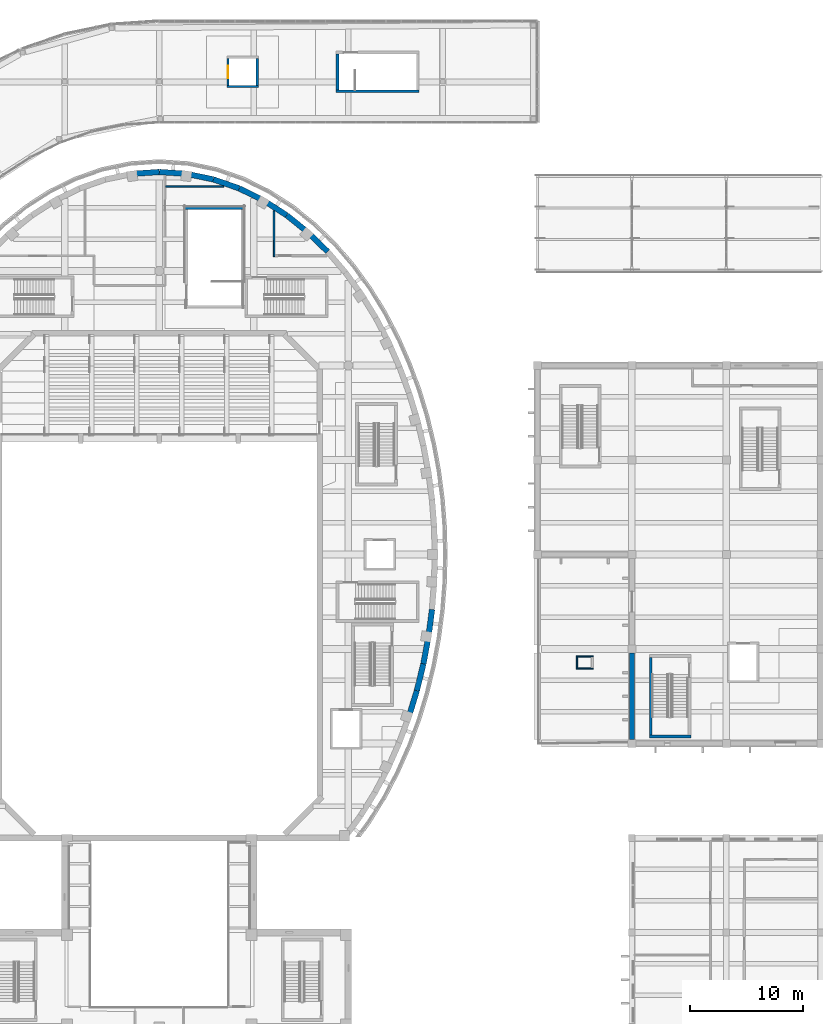
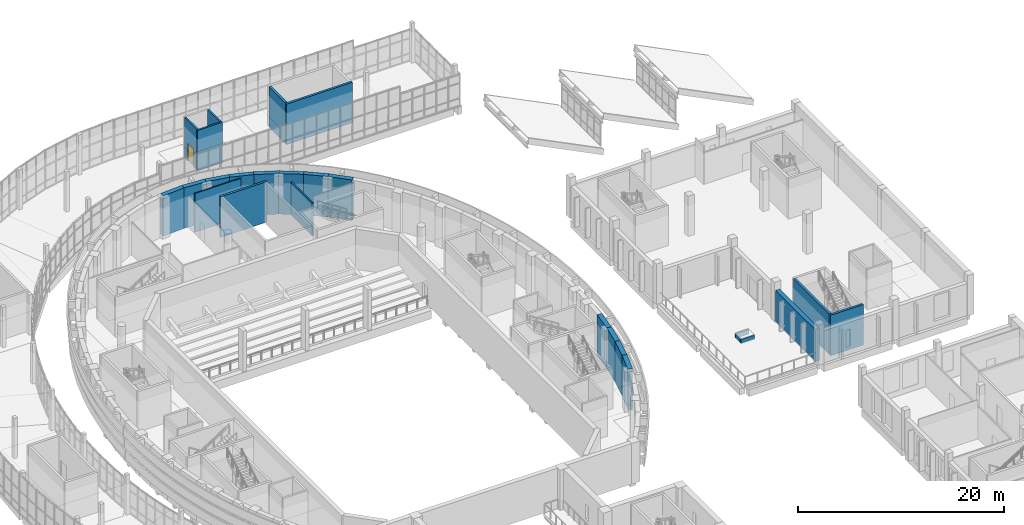
# One storey, part 61 of 103: 26 walls, 1 door, 1 opening.
"""IFC4 building model written with IfcOpenShell, lengths in metres."""

from ifc_helpers import new_model, si_unit, direction, frame, frame_2d, origin, place, context, subcontext, project, spatial, rectangle, extrude, material, layer, layer_set, type_object, element, fill, save


model = new_model("IFC4")

# Units and contexts
model_context = context("Model", 3, precision=1e-05, world=origin(), true_north=direction((0.0, 1.0)))
body_context = subcontext(model_context, "Body", "Model", "MODEL_VIEW")
ifc_project = project(units=[si_unit("LENGTHUNIT", "METRE"), si_unit("AREAUNIT", "SQUARE_METRE"), si_unit("VOLUMEUNIT", "CUBIC_METRE"), si_unit("PLANEANGLEUNIT", "RADIAN"), si_unit("MASSUNIT", "GRAM", prefix="KILO")], contexts=[model_context])

# Site, building, storey
site_placement = place(None, origin())
site = spatial("IfcSite", under=ifc_project, at=site_placement, CompositionType="ELEMENT")
building_placement = place(site_placement, origin())
building = spatial("IfcBuilding", under=site, at=building_placement, Name="Larchfold Concert Hall", CompositionType="ELEMENT")
storey_placement = place(building_placement, frame((0.0, 0.0, 9.60009765625)))
storey = spatial("IfcBuildingStorey", under=building, at=storey_placement, Name="L02", CompositionType="ELEMENT", Elevation=9.60009765625)

# Walls
ifc_material_1 = material(Name="Charred larch cladding on mineral wool and CLT", Category="wood")
ifc_layer_1 = layer(ifc_material_1, 0.449951171875)
ifc_layer_set_1 = layer_set([ifc_layer_1], Name="Charred larch cladding on mineral wool and CLT")
wall_type_1 = type_object("IfcWallType", Name="Charred larch infill wall 450", PredefinedType="SOLIDWALL", material=ifc_layer_set_1)
wall_1_placement = place(storey_placement, frame((84.60009765625, 75.849853515625, 0.0), z_axis=(0.0, 0.0, 1.0), x_axis=(0.0, -1.0, 0.0)))
element("IfcWall", 1, at=wall_1_placement, inside=storey, type_object=wall_type_1, Name="Infill wall W5093", PredefinedType="SOLIDWALL", context=body_context, shape_type="SweptSolid", body=[
    extrude(rectangle(XDim=7.69970703125, YDim=0.449951171875, at=frame_2d((3.849853515625, 0.0))), origin(), (0.0, 0.0, 1.0), 3.800048828125),
])
ifc_material_2 = material(Name="Plasterboard partition on steel studs", Category="steel")
ifc_layer_2 = layer(ifc_material_2, 0.125)
ifc_layer_set_2 = layer_set([ifc_layer_2], Name="Plasterboard partition on steel studs")
wall_type_2 = type_object("IfcWallType", Name="Corridor partition 125 EI 60", PredefinedType="PARTITIONING", material=ifc_layer_set_2)
wall_2_placement = place(storey_placement, frame((43.16357421875, 117.299072265625, 0.0), z_axis=(0.0, 0.0, 1.0), x_axis=(0.999999982121, -0.00018909847, 0.0)))
element("IfcWall", 2, at=wall_2_placement, inside=storey, type_object=wall_type_2, Name="Partition IW0002", PredefinedType="PARTITIONING", context=body_context, shape_type="SweptSolid", body=[
    extrude(rectangle(XDim=5.164306640625, YDim=0.125, at=frame_2d((2.58203125, 0.0))), origin(), (0.0, 0.0, 1.0), 4.599853515625),
])
ifc_material_3 = material(Name="Insulated steel upstand S355", Category="steel")
ifc_layer_3 = layer(ifc_material_3, 0.14990234375)
ifc_layer_set_3 = layer_set([ifc_layer_3], Name="Insulated steel upstand S355")
wall_type_3 = type_object("IfcWallType", Name="Roof hatch curb 150", PredefinedType="PARAPET", material=ifc_layer_set_3)
for number, where, z_axis, x_axis, name in (
    (3, (79.64990234375, 74.47509765625, 0.0), (0.0, 0.0, 1.0), (1.0, 0.0, 0.0), "Roof upstand curb HC21"),
    (4, (79.64990234375, 75.52490234375, 0.0), (0.0, 0.0, 1.0), (1.0, 0.0, 0.0), "Roof upstand curb HC22"),
):
    element("IfcWall", number, at=place(storey_placement, frame(where, z_axis=z_axis, x_axis=x_axis)), inside=storey, type_object=wall_type_3, Name=name, PredefinedType="PARAPET", context=body_context, shape_type="SweptSolid", body=[
        extrude(rectangle(XDim=1.5, YDim=0.14990234375, at=frame_2d((0.75, 0.0))), origin(), (0.0, 0.0, 1.0), 0.5),
    ])
wall_3_placement = place(storey_placement, frame((79.724853515625, 74.550048828125, 0.0), z_axis=(0.0, 0.0, 1.0), x_axis=(0.0, 1.0, 0.0)))
element("IfcWall", 5, at=wall_3_placement, inside=storey, type_object=wall_type_3, Name="Roof upstand curb HC23", PredefinedType="PARAPET", context=body_context, shape_type="SweptSolid", body=[
    extrude(rectangle(XDim=0.89990234375, YDim=0.14990234375, at=frame_2d((0.449951171875, 0.0))), origin(), (0.0, 0.0, 1.0), 0.5),
])
ifc_material_4 = material(Name="Plasterboard partition on steel studs", Category="steel")
ifc_layer_4 = layer(ifc_material_4, 0.14990234375)
ifc_layer_set_4 = layer_set([ifc_layer_4], Name="Plasterboard partition on steel studs")
wall_type_4 = type_object("IfcWallType", Name="Shaft and plant partition 150 EI 120", PredefinedType="PARTITIONING", material=ifc_layer_set_4)
wall_4_placement = place(storey_placement, frame((52.800048828125, 115.136962890625, 0.0), z_axis=(0.0, 0.0, 1.0), x_axis=(0.00096188485, -0.999999537389, 0.0)))
element("IfcWall", 6, at=wall_4_placement, inside=storey, type_object=wall_type_4, Name="Partition IW0003", PredefinedType="PARTITIONING", context=body_context, shape_type="SweptSolid", body=[
    extrude(rectangle(XDim=4.06103515625, YDim=0.14990234375, at=frame_2d((2.030517578125, 0.0))), origin(), (0.0, 0.0, 1.0), 3.89990234375),
])
ifc_material_5 = material(Name="Concrete C40/50", Category="concrete")
ifc_layer_5 = layer(ifc_material_5, 0.199951171875)
ifc_layer_set_5 = layer_set([ifc_layer_5], Name="Concrete C40/50")
wall_type_5 = type_object("IfcWallType", Name="Wall RC 200 lift shaft", PredefinedType="SOLIDWALL", material=ifc_layer_set_5)
wall_5_placement = place(storey_placement, frame((48.60009765625, 126.2001953125, 0.0), z_axis=(0.0, 0.0, 1.0), x_axis=(1.0, 0.0, 0.0)))
element("IfcWall", 7, at=wall_5_placement, inside=storey, type_object=wall_type_5, Name="Wall W0175", PredefinedType="SOLIDWALL", context=body_context, shape_type="SweptSolid", body=[
    extrude(rectangle(XDim=2.7998046875, YDim=0.199951171875, at=frame_2d((1.39990234375, 0.0))), origin(), (0.0, 0.0, 1.0), 4.7998046875),
])

# Wall, opening, door
wall_6_placement = place(storey_placement, frame((48.7001953125, 126.300048828125, 0.0), z_axis=(0.0, 0.0, 1.0), x_axis=(0.0, 1.0, 0.0)))
wall_6 = element("IfcWall", 8, at=wall_6_placement, inside=storey, type_object=wall_type_5, Name="Wall W0177", PredefinedType="SOLIDWALL", context=body_context, shape_type="SweptSolid", body=[
    extrude(rectangle(XDim=2.39990234375, YDim=0.199951171875, at=frame_2d((1.199951171875, 0.0))), origin(), (0.0, 0.0, 1.0), 4.7998046875),
])
opening_placement = place(wall_6_placement, frame((0.64990234375, 0.0, 0.0)))
opening = element("IfcOpeningElement", 9, at=opening_placement, cuts=wall_6, Name="Opening LD-LF13", PredefinedType="OPENING", context=body_context, shape_type="SweptSolid", body=[
    extrude(rectangle(XDim=1.10009765625, YDim=2.10009765625, at=frame_2d((0.550048828125, 1.050048828125))), frame((0.0, 0.10986328125, 0.0), z_axis=(0.0, -1.0, 0.0), x_axis=(1.0, 0.0, 0.0)), (0.0, 0.0, 1.0), 0.219970703125),
])
ifc_material_6 = material(Name="Stainless steel sliding leaves", Category="steel")
door_type = type_object("IfcDoorType", Name="Lift landing door sliding 1100 x 2100", OperationType="SLIDING_TO_LEFT", PredefinedType="DOOR", material=ifc_material_6)
door_placement = place(opening_placement, origin())
door = element("IfcDoor", 10, at=door_placement, inside=storey, type_object=door_type, Name="Lift landing door LF13", OperationType="SLIDING_TO_LEFT", OverallHeight=2.10009765625, OverallWidth=1.10009765625, PredefinedType="DOOR", context=body_context, shape_type="SweptSolid", body=[
    extrude(rectangle(XDim=1.10009765625, YDim=2.10009765625, at=frame_2d((0.550048828125, 1.050048828125))), frame((0.0, 0.02490234375, 0.0), z_axis=(0.0, -1.0, 0.0), x_axis=(1.0, 0.0, 0.0)), (0.0, 0.0, 1.0), 0.050048828125),
])
fill(opening, door)

# Walls
wall_7_placement = place(storey_placement, frame((51.2998046875, 126.300048828125, 0.0), z_axis=(0.0, 0.0, 1.0), x_axis=(0.0, 1.0, 0.0)))
element("IfcWall", 11, at=wall_7_placement, inside=storey, type_object=wall_type_5, Name="Wall W0178", PredefinedType="SOLIDWALL", context=body_context, shape_type="SweptSolid", body=[
    extrude(rectangle(XDim=2.39990234375, YDim=0.199951171875, at=frame_2d((1.199951171875, 0.0))), origin(), (0.0, 0.0, 1.0), 4.7998046875),
])
ifc_material_7 = material(Name="Concrete C40/50", Category="concrete")
ifc_layer_6 = layer(ifc_material_7, 0.25)
ifc_layer_set_6 = layer_set([ifc_layer_6], Name="Concrete C40/50")
wall_type_6 = type_object("IfcWallType", Name="Wall RC 250 stair core", PredefinedType="SOLIDWALL", material=ifc_layer_set_6)
wall_8_placement = place(storey_placement, frame((86.14990234375, 68.425048828125, 0.0), z_axis=(0.0, 0.0, 1.0), x_axis=(1.0, 0.0, 0.0)))
element("IfcWall", 12, at=wall_8_placement, inside=storey, type_object=wall_type_6, Name="Wall W0091", PredefinedType="SOLIDWALL", context=body_context, shape_type="SweptSolid", body=[
    extrude(rectangle(XDim=3.7001953125, YDim=0.25, at=frame_2d((1.85009765625, 0.0))), origin(), (0.0, 0.0, 1.0), 4.7998046875),
])
wall_9_placement = place(storey_placement, frame((86.27490234375, 68.550048828125, 0.0), z_axis=(0.0, 0.0, 1.0), x_axis=(0.0, 1.0, 0.0)))
element("IfcWall", 13, at=wall_9_placement, inside=storey, type_object=wall_type_6, Name="Wall W0093", PredefinedType="SOLIDWALL", context=body_context, shape_type="SweptSolid", body=[
    extrude(rectangle(XDim=6.89990234375, YDim=0.25, at=frame_2d((3.449951171875, 0.0))), origin(), (0.0, 0.0, 1.0), 4.7998046875),
])
wall_10_placement = place(storey_placement, frame((58.300048828125, 125.77490234375, 0.0), z_axis=(0.0, 0.0, 1.0), x_axis=(1.0, 0.0, 0.0)))
element("IfcWall", 14, at=wall_10_placement, inside=storey, type_object=wall_type_6, Name="Wall W0123", PredefinedType="SOLIDWALL", context=body_context, shape_type="SweptSolid", body=[
    extrude(rectangle(XDim=7.39990234375, YDim=0.25, at=frame_2d((3.699951171875, 0.0))), origin(), (0.0, 0.0, 1.0), 4.7998046875),
])
wall_11_placement = place(storey_placement, frame((58.425048828125, 125.89990234375, 0.0), z_axis=(0.0, 0.0, 1.0), x_axis=(0.0, 1.0, 0.0)))
element("IfcWall", 15, at=wall_11_placement, inside=storey, type_object=wall_type_6, Name="Wall W0125", PredefinedType="SOLIDWALL", context=body_context, shape_type="SweptSolid", body=[
    extrude(rectangle(XDim=3.2001953125, YDim=0.25, at=frame_2d((1.60009765625, 0.0))), origin(), (0.0, 0.0, 1.0), 4.7998046875),
])
wall_12_placement = place(storey_placement, frame((44.89990234375, 115.375, 0.0), z_axis=(0.0, 0.0, 1.0), x_axis=(1.0, 0.0, 0.0)))
element("IfcWall", 16, at=wall_12_placement, inside=storey, type_object=wall_type_6, Name="Wall W0128", PredefinedType="SOLIDWALL", context=body_context, shape_type="SweptSolid", body=[
    extrude(rectangle(XDim=5.2001953125, YDim=0.25, at=frame_2d((2.60009765625, 0.0))), origin(), (0.0, 0.0, 1.0), 4.7998046875),
])
ifc_material_8 = material(Name="Concrete C30/37", Category="concrete")
ifc_layer_7 = layer(ifc_material_8, 0.5)
ifc_layer_set_7 = layer_set([ifc_layer_7], Name="Concrete C30/37")
wall_type_7 = type_object("IfcWallType", Name="Wall RC 500 drum facade", PredefinedType="SOLIDWALL", material=ifc_layer_set_7)
wall_13_placement = place(storey_placement, frame((57.5673828125, 111.517822265625, 0.0), z_axis=(0.0, 0.0, 1.0), x_axis=(-0.71498883591, 0.69913586986, 0.0)))
element("IfcWall", 17, at=wall_13_placement, inside=storey, type_object=wall_type_7, Name="Wall DW013", PredefinedType="SOLIDWALL", context=body_context, shape_type="SweptSolid", body=[
    extrude(rectangle(XDim=2.433349609375, YDim=0.5, at=frame_2d((1.216796875, 0.0))), origin(), (0.0, 0.0, 1.0), 4.7998046875),
])
wall_14_placement = place(storey_placement, frame((55.82763671875, 113.218994140625, 0.0), z_axis=(0.0, 0.0, 1.0), x_axis=(-0.779015271296, 0.627004949811, 0.0)))
element("IfcWall", 18, at=wall_14_placement, inside=storey, type_object=wall_type_7, Name="Wall DW014", PredefinedType="SOLIDWALL", context=body_context, shape_type="SweptSolid", body=[
    extrude(rectangle(XDim=2.43310546875, YDim=0.5, at=frame_2d((1.216552734375, 0.0))), origin(), (0.0, 0.0, 1.0), 4.7998046875),
])
wall_15_placement = place(storey_placement, frame((53.93212890625, 114.74462890625, 0.0), z_axis=(0.0, 0.0, 1.0), x_axis=(-0.840519246372, 0.541781687101, 0.0)))
element("IfcWall", 19, at=wall_15_placement, inside=storey, type_object=wall_type_7, Name="Wall DW015", PredefinedType="SOLIDWALL", context=body_context, shape_type="SweptSolid", body=[
    extrude(rectangle(XDim=2.432861328125, YDim=0.5, at=frame_2d((1.21630859375, 0.0))), origin(), (0.0, 0.0, 1.0), 4.7998046875),
])
for number, where, z_axis, x_axis, name in (
    (20, (51.88720703125, 116.062744140625, 0.0), (0.0, 0.0, 1.0), (-0.896822873966, 0.442389797274, 0.0), "Wall DW016"),
    (21, (49.70556640625, 117.138916015625, 0.0), (0.0, 0.0, 1.0), (-0.944373524566, 0.328874818279, 0.0), "Wall DW017"),
):
    element("IfcWall", number, at=place(storey_placement, frame(where, z_axis=z_axis, x_axis=x_axis)), inside=storey, type_object=wall_type_7, Name=name, PredefinedType="SOLIDWALL", context=body_context, shape_type="SweptSolid", body=[
        extrude(rectangle(XDim=2.4326171875, YDim=0.5, at=frame_2d((1.21630859375, 0.0))), origin(), (0.0, 0.0, 1.0), 4.7998046875),
    ])
for number, where, z_axis, x_axis, name in (
    (22, (47.408203125, 117.93896484375, 0.0), (0.0, 0.0, 1.0), (-0.979166233049, 0.203060306454, 0.0), "Wall DW018"),
    (23, (45.026611328125, 118.432861328125, 0.0), (0.0, 0.0, 1.0), (-0.997633415899, 0.068757308571, 0.0), "Wall DW019"),
    (24, (42.60009765625, 118.60009765625, 0.0), (0.0, 0.0, 1.0), (-0.997633415899, -0.068757308571, 0.0), "Wall DW020"),
):
    element("IfcWall", number, at=place(storey_placement, frame(where, z_axis=z_axis, x_axis=x_axis)), inside=storey, type_object=wall_type_7, Name=name, PredefinedType="SOLIDWALL", context=body_context, shape_type="SweptSolid", body=[
        extrude(rectangle(XDim=2.432373046875, YDim=0.5, at=frame_2d((1.21630859375, 0.0))), origin(), (0.0, 0.0, 1.0), 4.7998046875),
    ])
for number, where, z_axis, x_axis, name in (
    (25, (64.778564453125, 70.154052734375, 0.0), (0.0, 0.0, 1.0), (0.29250219685, 0.95626485078, 0.0), "Wall DW056"),
    (26, (65.494873046875, 72.495849609375, 0.0), (0.0, 0.0, 1.0), (0.237465633216, 0.971395940408, 0.0), "Wall DW057"),
    (27, (66.076416015625, 74.874755859375, 0.0), (0.0, 0.0, 1.0), (0.183524085598, 0.983015213517, 0.0), "Wall DW058"),
    (28, (66.52587890625, 77.2822265625, 0.0), (0.0, 0.0, 1.0), (0.130498353005, 0.991448526078, 0.0), "Wall DW059"),
):
    element("IfcWall", number, at=place(storey_placement, frame(where, z_axis=z_axis, x_axis=x_axis)), inside=storey, type_object=wall_type_7, Name=name, PredefinedType="SOLIDWALL", context=body_context, shape_type="SweptSolid", body=[
        extrude(rectangle(XDim=2.448974609375, YDim=0.5, at=frame_2d((1.224609375, 0.0))), origin(), (0.0, 0.0, 1.0), 4.7998046875),
    ])

save(model, "model.ifc")
